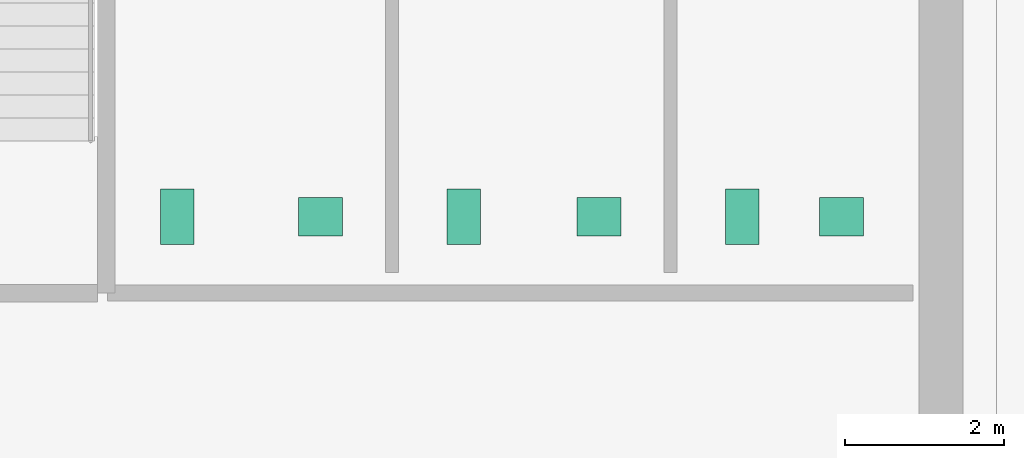
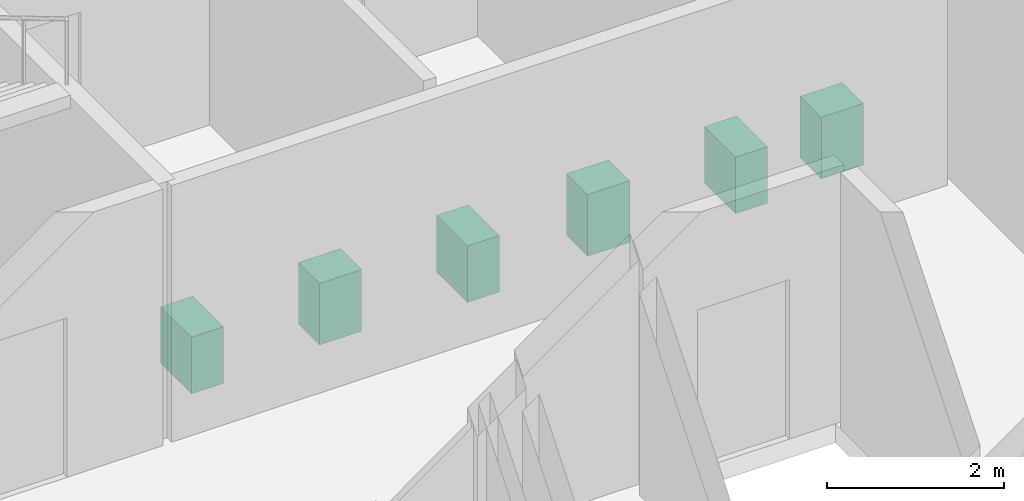
# One storey, part 11 of 11: 6 sanitary terminals.
"""IFC4 building model written with IfcOpenShell, lengths in metres."""

from ifc_helpers import new_model, si_unit, direction, frame, origin, origin_2d, place, context, subcontext, project, spatial, rectangle, extrude, material, type_object, element, save


model = new_model("IFC4")

# Units and contexts
model_context = context("Model", 3, precision=1e-05, world=origin(), true_north=direction((0.0, 1.0)))
body_context = subcontext(model_context, "Body", "Model", "MODEL_VIEW")
ifc_project = project(units=[si_unit("LENGTHUNIT", "METRE"), si_unit("AREAUNIT", "SQUARE_METRE"), si_unit("VOLUMEUNIT", "CUBIC_METRE"), si_unit("PLANEANGLEUNIT", "RADIAN"), si_unit("MASSUNIT", "GRAM", prefix="KILO")], contexts=[model_context])

# Site, building, storey
site_placement = place(None, origin())
site = spatial("IfcSite", under=ifc_project, at=site_placement, CompositionType="ELEMENT")
building_placement = place(site_placement, origin())
building = spatial("IfcBuilding", under=site, at=building_placement, Name="Norrvale University Quadrangle", CompositionType="ELEMENT")
storey_placement = place(building_placement, frame((0.0, 0.0, 281.0)))
storey = spatial("IfcBuildingStorey", under=building, at=storey_placement, Name="L71", CompositionType="ELEMENT", Elevation=281.0)

# Sanitary terminals
ifc_material = material(Name="Vitreous China Sanitaryware")
sanitary_terminal_type_1 = type_object("IfcSanitaryTerminalType", Name="Sanitary Wash Basin", PredefinedType="WASHHANDBASIN", material=ifc_material)
for number, where, z_axis, x_axis, name in (
    (1, (9.0, 41.10009765625, 0.0), (0.0, 0.0, 1.0), (1.0, 0.0, 0.0), "Accessible Countertop Washbasin L71-1"),
    (2, (12.5, 41.10009765625, 0.0), (0.0, 0.0, 1.0), (1.0, 0.0, 0.0), "Accessible Countertop Washbasin L71-2"),
    (3, (15.550048828125, 41.10009765625, 0.0), (0.0, 0.0, 1.0), (1.0, 0.0, 0.0), "Accessible Countertop Washbasin L71-3"),
):
    element("IfcSanitaryTerminal", number, at=place(storey_placement, frame(where, z_axis=z_axis, x_axis=x_axis)), inside=storey, type_object=sanitary_terminal_type_1, Name=name, PredefinedType="WASHHANDBASIN", context=body_context, shape_type="SweptSolid", body=[
        extrude(rectangle(XDim=0.550048828125, YDim=0.47998046875, at=origin_2d()), origin(), (0.0, 0.0, 1.0), 0.85009765625),
    ])
sanitary_terminal_type_2 = type_object("IfcSanitaryTerminalType", Name="Sanitary Water Closet", PredefinedType="TOILETPAN", material=ifc_material)
for number, where, z_axis, x_axis, name in (
    (4, (7.199951171875, 41.10009765625, 0.0), (0.0, 0.0, 1.0), (1.0, 0.0, 0.0), "Wall-Hung Water Closet L71-1"),
    (5, (10.800048828125, 41.10009765625, 0.0), (0.0, 0.0, 1.0), (1.0, 0.0, 0.0), "Wall-Hung Water Closet L71-2"),
    (6, (14.300048828125, 41.10009765625, 0.0), (0.0, 0.0, 1.0), (1.0, 0.0, 0.0), "Wall-Hung Water Closet L71-3"),
):
    element("IfcSanitaryTerminal", number, at=place(storey_placement, frame(where, z_axis=z_axis, x_axis=x_axis)), inside=storey, type_object=sanitary_terminal_type_2, Name=name, PredefinedType="TOILETPAN", context=body_context, shape_type="SweptSolid", body=[
        extrude(rectangle(XDim=0.419921875, YDim=0.699951171875, at=origin_2d()), origin(), (0.0, 0.0, 1.0), 0.780029296875),
    ])

save(model, "model.ifc")
